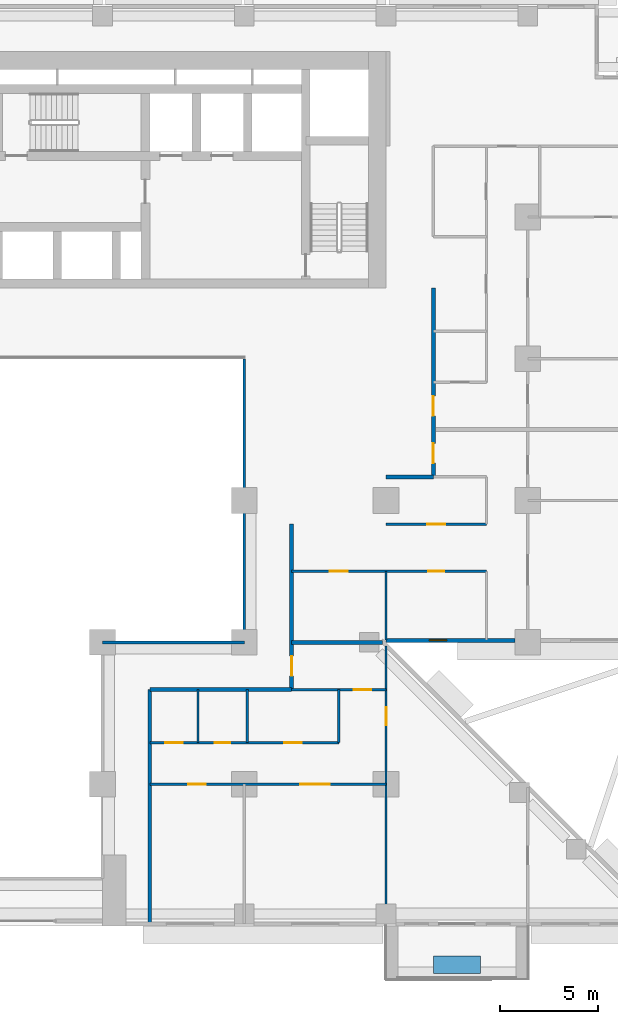
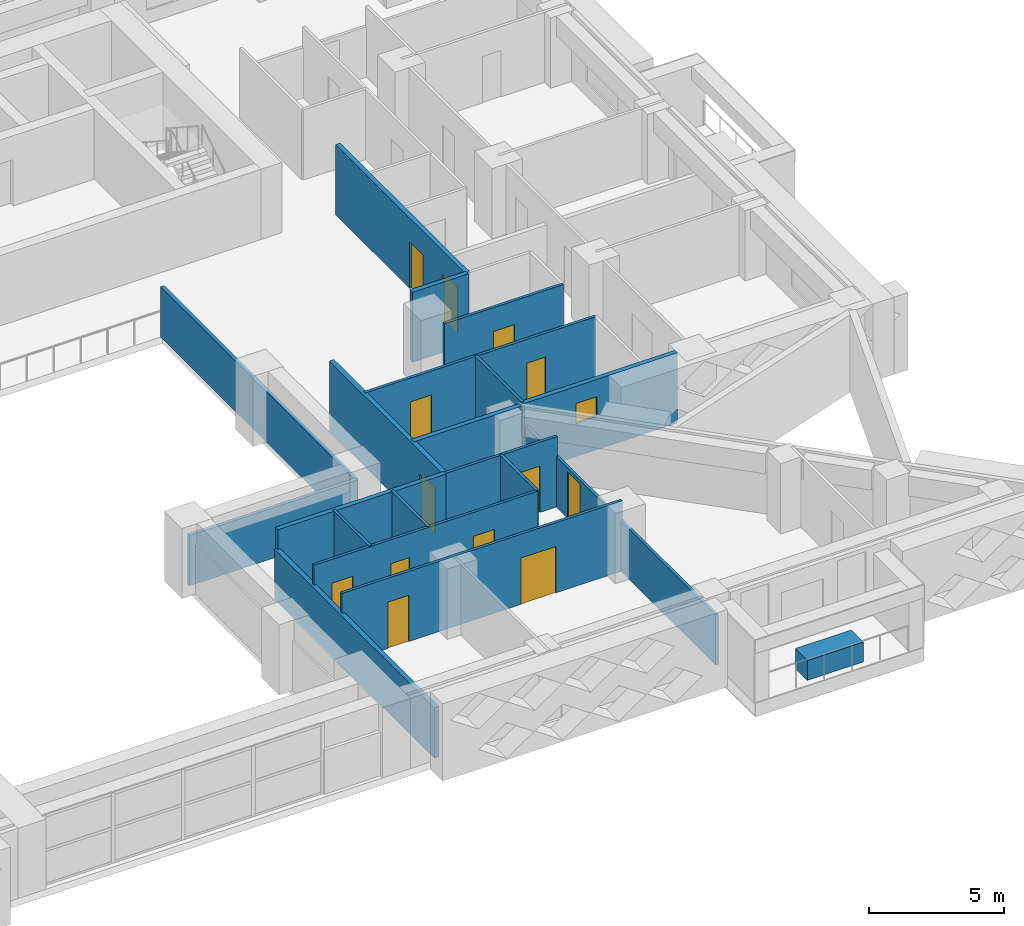
# One storey, part 8 of 16: 20 walls, 13 doors, 1 window, 14 openings.
"""IFC4 building model written with IfcOpenShell, lengths in metres."""

from ifc_helpers import new_model, si_unit, direction, frame, frame_2d, origin, place, context, subcontext, project, spatial, rectangle, extrude, material, layer, layer_set, type_object, element, fill, save


model = new_model("IFC4")

# Units and contexts
model_context = context("Model", 3, precision=1e-05, world=origin(), true_north=direction((0.0, 1.0)))
body_context = subcontext(model_context, "Body", "Model", "MODEL_VIEW")
ifc_project = project(units=[si_unit("LENGTHUNIT", "METRE"), si_unit("AREAUNIT", "SQUARE_METRE"), si_unit("VOLUMEUNIT", "CUBIC_METRE"), si_unit("PLANEANGLEUNIT", "RADIAN"), si_unit("MASSUNIT", "GRAM", prefix="KILO")], contexts=[model_context])

# Site, building, storey
site_placement = place(None, origin())
site = spatial("IfcSite", under=ifc_project, at=site_placement, CompositionType="ELEMENT")
building_placement = place(site_placement, origin())
building = spatial("IfcBuilding", under=site, at=building_placement, Name="Saffron Iwan Residences", CompositionType="ELEMENT")
storey_placement = place(building_placement, frame((0.0, 0.0, 83.0)))
storey = spatial("IfcBuildingStorey", under=building, at=storey_placement, Name="L21", CompositionType="ELEMENT", Elevation=83.0)

# Walls
ifc_material_1 = material(Name="Fire-rated glazing", Category="glass")
ifc_layer_1 = layer(ifc_material_1, 0.14990234375)
ifc_layer_set_1 = layer_set([ifc_layer_1], Name="Fire-rated glazing")
wall_type_1 = type_object("IfcWallType", Name="Atrium glazed screen 150", PredefinedType="SOLIDWALL", material=ifc_layer_set_1)
wall_1_placement = place(storey_placement, frame((57.60009765625, 48.0, 0.0), z_axis=(0.0, 0.0, 1.0), x_axis=(1.0, 0.0, 0.0)))
element("IfcWall", 1, at=wall_1_placement, inside=storey, type_object=wall_type_1, Name="W-L21-SCREEN-h48-57.6", PredefinedType="SOLIDWALL", context=body_context, shape_type="SweptSolid", body=[
    extrude(rectangle(XDim=7.199951171875, YDim=0.14990234375, at=frame_2d((3.60009765625, 0.0))), origin(), (0.0, 0.0, 1.0), 2.280029296875),
])
wall_2_placement = place(storey_placement, frame((64.800048828125, 48.0, 0.0), z_axis=(0.0, 0.0, 1.0), x_axis=(0.0, 1.0, 0.0)))
element("IfcWall", 2, at=wall_2_placement, inside=storey, type_object=wall_type_1, Name="W-L21-SCREEN-v64.8-48", PredefinedType="SOLIDWALL", context=body_context, shape_type="SweptSolid", body=[
    extrude(rectangle(XDim=14.39990234375, YDim=0.14990234375, at=frame_2d((7.199951171875, 0.0))), origin(), (0.0, 0.0, 1.0), 2.280029296875),
])
ifc_material_2 = material(Name="Concrete C35/45 white painted", Category="concrete")
ifc_layer_2 = layer(ifc_material_2, 0.14990234375)
ifc_layer_set_2 = layer_set([ifc_layer_2], Name="Concrete C35/45 white painted")
wall_type_2 = type_object("IfcWallType", Name="BALCONY PLANTER", PredefinedType="SOLIDWALL", material=ifc_layer_set_2)
wall_3_placement = place(storey_placement, frame((74.39990234375, 31.625, 0.0), z_axis=(0.0, 0.0, 1.0), x_axis=(1.0, 0.0, 0.0)))
element("IfcWall", 3, at=wall_3_placement, inside=storey, type_object=wall_type_2, Name="PLANTER L21 11-1", PredefinedType="SOLIDWALL", context=body_context, shape_type="SweptSolid", body=[
    extrude(rectangle(XDim=2.400146484375, YDim=0.89990234375, at=frame_2d((1.2001953125, 0.0))), origin(), (0.0, 0.0, 1.0), 0.89990234375),
])

# Wall, opening, window
ifc_material_3 = material(Name="Concrete C40/50", Category="concrete")
ifc_layer_3 = layer(ifc_material_3, 0.199951171875)
ifc_layer_set_3 = layer_set([ifc_layer_3], Name="Concrete C40/50")
wall_type_3 = type_object("IfcWallType", Name="EXTERNAL WALL 200", PredefinedType="SOLIDWALL", material=ifc_layer_set_3)
wall_4_placement = place(storey_placement, frame((71.988525390625, 48.10009765625, 0.0), z_axis=(0.0, 0.0, 1.0), x_axis=(1.0, 0.0, 0.0)))
wall_4 = element("IfcWall", 4, at=wall_4_placement, inside=storey, type_object=wall_type_3, Name="External wall L21 F1.0", PredefinedType="SOLIDWALL", context=body_context, shape_type="SweptSolid", body=[
    extrude(rectangle(XDim=6.5615234375, YDim=0.199951171875, at=frame_2d((3.28076171875, 0.0))), origin(), (0.0, 0.0, 1.0), 3.179931640625),
])
opening_1_placement = place(wall_4_placement, frame((2.205810546875, 0.0, 1.5)))
opening_1 = element("IfcOpeningElement", 5, at=opening_1_placement, cuts=wall_4, Name="Opening W6", PredefinedType="OPENING", context=body_context, shape_type="SweptSolid", body=[
    extrude(rectangle(XDim=0.89990234375, YDim=0.89990234375, at=frame_2d((0.449951171875, 0.449951171875))), frame((0.0, 0.10986328125, 0.0), z_axis=(0.0, -1.0, 0.0), x_axis=(1.0, 0.0, 0.0)), (0.0, 0.0, 1.0), 0.219970703125),
])
ifc_material_4 = material(Name="Clear glass, laminated double glazed", Category="glass")
window_type = type_object("IfcWindowType", Name="WINDOW 900 x 900 BATH", PartitioningType="SINGLE_PANEL", PredefinedType="WINDOW", material=ifc_material_4)
window_placement = place(opening_1_placement, origin())
window = element("IfcWindow", 6, at=window_placement, inside=storey, type_object=window_type, Name="Window L21 F1.0", OverallHeight=0.89990234375, OverallWidth=0.89990234375, PartitioningType="SINGLE_PANEL", PredefinedType="WINDOW", context=body_context, shape_type="SweptSolid", body=[
    extrude(rectangle(XDim=0.89990234375, YDim=0.89990234375, at=frame_2d((0.449951171875, 0.449951171875))), frame((0.0, 0.030029296875, 0.0), z_axis=(0.0, -1.0, 0.0), x_axis=(1.0, 0.0, 0.0)), (0.0, 0.0, 1.0), 0.06005859375),
])
fill(opening_1, window)

# Wall
ifc_material_5 = material(Name="Fire-rated gypsum board wall")
ifc_layer_4 = layer(ifc_material_5, 0.199951171875)
ifc_layer_set_4 = layer_set([ifc_layer_4], Name="Fire-rated gypsum board wall")
wall_type_4 = type_object("IfcWallType", Name="Flat demising wall 200", PredefinedType="SOLIDWALL", material=ifc_layer_set_4)
wall_5_placement = place(storey_placement, frame((67.199951171875, 48.0, 0.0), z_axis=(0.0, 0.0, 1.0), x_axis=(1.0, 0.0, 0.0)))
element("IfcWall", 7, at=wall_5_placement, inside=storey, type_object=wall_type_4, Name="W-L21-DEMISE-h48-67.2", PredefinedType="SOLIDWALL", context=body_context, shape_type="SweptSolid", body=[
    extrude(rectangle(XDim=4.623046875, YDim=0.199951171875, at=frame_2d((2.3115234375, 0.0))), origin(), (0.0, 0.0, 1.0), 3.179931640625),
])

# Wall, openings, doors
ifc_material_6 = material(Name="Gypsum board partition")
ifc_layer_5 = layer(ifc_material_6, 0.1201171875)
ifc_layer_set_5 = layer_set([ifc_layer_5], Name="Gypsum board partition")
wall_type_5 = type_object("IfcWallType", Name="Flat partition 120", PredefinedType="PARTITIONING", material=ifc_layer_set_5)
wall_6_placement = place(storey_placement, frame((60.0, 40.800048828125, 0.0), z_axis=(0.0, 0.0, 1.0), x_axis=(1.0, 0.0, 0.0)))
wall_6 = element("IfcWall", 8, at=wall_6_placement, inside=storey, type_object=wall_type_5, Name="W-L21-PART-h40.8-60", PredefinedType="PARTITIONING", context=body_context, shape_type="SweptSolid", body=[
    extrude(rectangle(XDim=12.0, YDim=0.1201171875, at=frame_2d((6.0, 0.0))), origin(), (0.0, 0.0, 1.0), 3.179931640625),
])
opening_2_placement = place(wall_6_placement, frame((7.64990234375, 0.0, 0.0)))
opening_2 = element("IfcOpeningElement", 9, at=opening_2_placement, cuts=wall_6, Name="Opening FD4", PredefinedType="OPENING", context=body_context, shape_type="SweptSolid", body=[
    extrude(rectangle(XDim=1.5, YDim=2.10009765625, at=frame_2d((0.75, 1.050048828125))), frame((0.0, 0.070068359375, 0.0), z_axis=(0.0, -1.0, 0.0), x_axis=(1.0, 0.0, 0.0)), (0.0, 0.0, 1.0), 0.14013671875),
])
opening_3_placement = place(wall_6_placement, frame((1.949951171875, 0.0, 0.0)))
opening_3 = element("IfcOpeningElement", 10, at=opening_3_placement, cuts=wall_6, Name="Opening FD2", PredefinedType="OPENING", context=body_context, shape_type="SweptSolid", body=[
    extrude(rectangle(XDim=0.89990234375, YDim=2.10009765625, at=frame_2d((0.449951171875, 1.050048828125))), frame((0.0, 0.070068359375, 0.0), z_axis=(0.0, -1.0, 0.0), x_axis=(1.0, 0.0, 0.0)), (0.0, 0.0, 1.0), 0.14013671875),
])
ifc_material_7 = material(Name="Timber door", Category="wood")
door_type_1 = type_object("IfcDoorType", Name="Double door 1500", OperationType="NOTDEFINED", PredefinedType="DOOR", material=ifc_material_7)
door_1_placement = place(opening_2_placement, origin())
door_1 = element("IfcDoor", 11, at=door_1_placement, inside=storey, type_object=door_type_1, Name="Door L21-044", OperationType="SINGLE_SWING_LEFT", OverallHeight=2.10009765625, OverallWidth=1.5, PredefinedType="DOOR", context=body_context, shape_type="SweptSolid", body=[
    extrude(rectangle(XDim=1.5, YDim=2.10009765625, at=frame_2d((0.75, 1.050048828125))), frame((0.0, 0.02490234375, 0.0), z_axis=(0.0, -1.0, 0.0), x_axis=(1.0, 0.0, 0.0)), (0.0, 0.0, 1.0), 0.050048828125),
])
fill(opening_2, door_1)
door_type_2 = type_object("IfcDoorType", Name="Flat door 900", OperationType="NOTDEFINED", PredefinedType="DOOR", material=ifc_material_7)
door_2_placement = place(opening_3_placement, origin())
door_2 = element("IfcDoor", 12, at=door_2_placement, inside=storey, type_object=door_type_2, Name="Door L21-045", OperationType="SINGLE_SWING_LEFT", OverallHeight=2.10009765625, OverallWidth=0.89990234375, PredefinedType="DOOR", context=body_context, shape_type="SweptSolid", body=[
    extrude(rectangle(XDim=0.89990234375, YDim=2.10009765625, at=frame_2d((0.449951171875, 1.050048828125))), frame((0.0, 0.02490234375, 0.0), z_axis=(0.0, -1.0, 0.0), x_axis=(1.0, 0.0, 0.0)), (0.0, 0.0, 1.0), 0.050048828125),
])
fill(opening_3, door_2)

wall_7_placement = place(storey_placement, frame((60.0, 42.89990234375, 0.0), z_axis=(0.0, 0.0, 1.0), x_axis=(1.0, 0.0, 0.0)))
wall_7 = element("IfcWall", 13, at=wall_7_placement, inside=storey, type_object=wall_type_5, Name="W-L21-PART-h42.9-60", PredefinedType="PARTITIONING", context=body_context, shape_type="SweptSolid", body=[
    extrude(rectangle(XDim=9.60009765625, YDim=0.1201171875, at=frame_2d((4.800048828125, 0.0))), origin(), (0.0, 0.0, 1.0), 3.179931640625),
])
opening_4_placement = place(wall_7_placement, frame((6.824951171875, 0.0, 0.0)))
opening_4 = element("IfcOpeningElement", 14, at=opening_4_placement, cuts=wall_7, Name="Opening FD2", PredefinedType="OPENING", context=body_context, shape_type="SweptSolid", body=[
    extrude(rectangle(XDim=0.89990234375, YDim=2.10009765625, at=frame_2d((0.449951171875, 1.050048828125))), frame((0.0, 0.070068359375, 0.0), z_axis=(0.0, -1.0, 0.0), x_axis=(1.0, 0.0, 0.0)), (0.0, 0.0, 1.0), 0.14013671875),
])
opening_5_placement = place(wall_7_placement, frame((3.300048828125, 0.0, 0.0)))
opening_5 = element("IfcOpeningElement", 15, at=opening_5_placement, cuts=wall_7, Name="Opening FD3", PredefinedType="OPENING", context=body_context, shape_type="SweptSolid", body=[
    extrude(rectangle(XDim=0.800048828125, YDim=2.10009765625, at=frame_2d((0.39990234375, 1.050048828125))), frame((0.0, 0.070068359375, 0.0), z_axis=(0.0, -1.0, 0.0), x_axis=(1.0, 0.0, 0.0)), (0.0, 0.0, 1.0), 0.14013671875),
])
opening_6_placement = place(wall_7_placement, frame((0.77490234375, 0.0, 0.0)))
opening_6 = element("IfcOpeningElement", 16, at=opening_6_placement, cuts=wall_7, Name="Opening FD2", PredefinedType="OPENING", context=body_context, shape_type="SweptSolid", body=[
    extrude(rectangle(XDim=0.89990234375, YDim=2.10009765625, at=frame_2d((0.449951171875, 1.050048828125))), frame((0.0, 0.070068359375, 0.0), z_axis=(0.0, -1.0, 0.0), x_axis=(1.0, 0.0, 0.0)), (0.0, 0.0, 1.0), 0.14013671875),
])
door_type_3 = type_object("IfcDoorType", Name="Bathroom door 800", OperationType="NOTDEFINED", PredefinedType="DOOR", material=ifc_material_7)
door_3_placement = place(opening_5_placement, origin())
door_3 = element("IfcDoor", 17, at=door_3_placement, inside=storey, type_object=door_type_3, Name="Door L21-047", OperationType="SINGLE_SWING_LEFT", OverallHeight=2.10009765625, OverallWidth=0.800048828125, PredefinedType="DOOR", context=body_context, shape_type="SweptSolid", body=[
    extrude(rectangle(XDim=0.800048828125, YDim=2.10009765625, at=frame_2d((0.39990234375, 1.050048828125))), frame((0.0, 0.02490234375, 0.0), z_axis=(0.0, -1.0, 0.0), x_axis=(1.0, 0.0, 0.0)), (0.0, 0.0, 1.0), 0.050048828125),
])
fill(opening_5, door_3)
door_4_placement = place(opening_4_placement, origin())
door_4 = element("IfcDoor", 18, at=door_4_placement, inside=storey, type_object=door_type_2, Name="Door L21-046", OperationType="SINGLE_SWING_RIGHT", OverallHeight=2.10009765625, OverallWidth=0.89990234375, PredefinedType="DOOR", context=body_context, shape_type="SweptSolid", body=[
    extrude(rectangle(XDim=0.89990234375, YDim=2.10009765625, at=frame_2d((0.449951171875, 1.050048828125))), frame((0.0, 0.02490234375, 0.0), z_axis=(0.0, -1.0, 0.0), x_axis=(1.0, 0.0, 0.0)), (0.0, 0.0, 1.0), 0.050048828125),
])
fill(opening_4, door_4)
door_5_placement = place(opening_6_placement, origin())
door_5 = element("IfcDoor", 19, at=door_5_placement, inside=storey, type_object=door_type_2, Name="Door L21-048", OperationType="SINGLE_SWING_LEFT", OverallHeight=2.10009765625, OverallWidth=0.89990234375, PredefinedType="DOOR", context=body_context, shape_type="SweptSolid", body=[
    extrude(rectangle(XDim=0.89990234375, YDim=2.10009765625, at=frame_2d((0.449951171875, 1.050048828125))), frame((0.0, 0.02490234375, 0.0), z_axis=(0.0, -1.0, 0.0), x_axis=(1.0, 0.0, 0.0)), (0.0, 0.0, 1.0), 0.050048828125),
])
fill(opening_6, door_5)

# Wall, opening, door
wall_8_placement = place(storey_placement, frame((67.199951171875, 45.60009765625, 0.0), z_axis=(0.0, 0.0, 1.0), x_axis=(1.0, 0.0, 0.0)))
wall_8 = element("IfcWall", 20, at=wall_8_placement, inside=storey, type_object=wall_type_5, Name="W-L21-PART-h45.6-67.2", PredefinedType="PARTITIONING", context=body_context, shape_type="SweptSolid", body=[
    extrude(rectangle(XDim=4.800048828125, YDim=0.1201171875, at=frame_2d((2.39990234375, 0.0))), origin(), (0.0, 0.0, 1.0), 3.179931640625),
])
opening_7_placement = place(wall_8_placement, frame((3.14990234375, 0.0, 0.0)))
opening_7 = element("IfcOpeningElement", 21, at=opening_7_placement, cuts=wall_8, Name="Opening FD2", PredefinedType="OPENING", context=body_context, shape_type="SweptSolid", body=[
    extrude(rectangle(XDim=0.89990234375, YDim=2.10009765625, at=frame_2d((0.449951171875, 1.050048828125))), frame((0.0, 0.070068359375, 0.0), z_axis=(0.0, -1.0, 0.0), x_axis=(1.0, 0.0, 0.0)), (0.0, 0.0, 1.0), 0.14013671875),
])
door_6_placement = place(opening_7_placement, origin())
door_6 = element("IfcDoor", 22, at=door_6_placement, inside=storey, type_object=door_type_2, Name="Door L21-042", OperationType="SINGLE_SWING_LEFT", OverallHeight=2.10009765625, OverallWidth=0.89990234375, PredefinedType="DOOR", context=body_context, shape_type="SweptSolid", body=[
    extrude(rectangle(XDim=0.89990234375, YDim=2.10009765625, at=frame_2d((0.449951171875, 1.050048828125))), frame((0.0, 0.02490234375, 0.0), z_axis=(0.0, -1.0, 0.0), x_axis=(1.0, 0.0, 0.0)), (0.0, 0.0, 1.0), 0.050048828125),
])
fill(opening_7, door_6)

# Wall, openings, doors
wall_9_placement = place(storey_placement, frame((67.199951171875, 51.60009765625, 0.0), z_axis=(0.0, 0.0, 1.0), x_axis=(1.0, 0.0, 0.0)))
wall_9 = element("IfcWall", 23, at=wall_9_placement, inside=storey, type_object=wall_type_5, Name="W-L21-PART-h51.6-67.2", PredefinedType="PARTITIONING", context=body_context, shape_type="SweptSolid", body=[
    extrude(rectangle(XDim=9.900146484375, YDim=0.1201171875, at=frame_2d((4.9501953125, 0.0))), origin(), (0.0, 0.0, 1.0), 3.179931640625),
])
opening_8_placement = place(wall_9_placement, frame((6.949951171875, 0.0, 0.0)))
opening_8 = element("IfcOpeningElement", 24, at=opening_8_placement, cuts=wall_9, Name="Opening FD3", PredefinedType="OPENING", context=body_context, shape_type="SweptSolid", body=[
    extrude(rectangle(XDim=0.800048828125, YDim=2.10009765625, at=frame_2d((0.39990234375, 1.050048828125))), frame((0.0, 0.070068359375, 0.0), z_axis=(0.0, -1.0, 0.0), x_axis=(1.0, 0.0, 0.0)), (0.0, 0.0, 1.0), 0.14013671875),
])
opening_9_placement = place(wall_9_placement, frame((1.949951171875, 0.0, 0.0)))
opening_9 = element("IfcOpeningElement", 25, at=opening_9_placement, cuts=wall_9, Name="Opening FD2", PredefinedType="OPENING", context=body_context, shape_type="SweptSolid", body=[
    extrude(rectangle(XDim=0.89990234375, YDim=2.10009765625, at=frame_2d((0.449951171875, 1.050048828125))), frame((0.0, 0.070068359375, 0.0), z_axis=(0.0, -1.0, 0.0), x_axis=(1.0, 0.0, 0.0)), (0.0, 0.0, 1.0), 0.14013671875),
])
door_7_placement = place(opening_8_placement, origin())
door_7 = element("IfcDoor", 26, at=door_7_placement, inside=storey, type_object=door_type_3, Name="Door L21-024", OperationType="SINGLE_SWING_LEFT", OverallHeight=2.10009765625, OverallWidth=0.800048828125, PredefinedType="DOOR", context=body_context, shape_type="SweptSolid", body=[
    extrude(rectangle(XDim=0.800048828125, YDim=2.10009765625, at=frame_2d((0.39990234375, 1.050048828125))), frame((0.0, 0.02490234375, 0.0), z_axis=(0.0, -1.0, 0.0), x_axis=(1.0, 0.0, 0.0)), (0.0, 0.0, 1.0), 0.050048828125),
])
fill(opening_8, door_7)
door_8_placement = place(opening_9_placement, origin())
door_8 = element("IfcDoor", 27, at=door_8_placement, inside=storey, type_object=door_type_2, Name="Door L21-026", OperationType="SINGLE_SWING_LEFT", OverallHeight=2.10009765625, OverallWidth=0.89990234375, PredefinedType="DOOR", context=body_context, shape_type="SweptSolid", body=[
    extrude(rectangle(XDim=0.89990234375, YDim=2.10009765625, at=frame_2d((0.449951171875, 1.050048828125))), frame((0.0, 0.02490234375, 0.0), z_axis=(0.0, -1.0, 0.0), x_axis=(1.0, 0.0, 0.0)), (0.0, 0.0, 1.0), 0.050048828125),
])
fill(opening_9, door_8)

# Wall, opening, door
wall_10_placement = place(storey_placement, frame((72.0, 54.0, 0.0), z_axis=(0.0, 0.0, 1.0), x_axis=(1.0, 0.0, 0.0)))
wall_10 = element("IfcWall", 28, at=wall_10_placement, inside=storey, type_object=wall_type_5, Name="W-L21-PART-h54-72", PredefinedType="PARTITIONING", context=body_context, shape_type="SweptSolid", body=[
    extrude(rectangle(XDim=5.10009765625, YDim=0.1201171875, at=frame_2d((2.550048828125, 0.0))), origin(), (0.0, 0.0, 1.0), 3.179931640625),
])
opening_10_placement = place(wall_10_placement, frame((2.10009765625, 0.0, 0.0)))
opening_10 = element("IfcOpeningElement", 29, at=opening_10_placement, cuts=wall_10, Name="Opening FD2", PredefinedType="OPENING", context=body_context, shape_type="SweptSolid", body=[
    extrude(rectangle(XDim=0.89990234375, YDim=2.10009765625, at=frame_2d((0.449951171875, 1.050048828125))), frame((0.0, 0.070068359375, 0.0), z_axis=(0.0, -1.0, 0.0), x_axis=(1.0, 0.0, 0.0)), (0.0, 0.0, 1.0), 0.14013671875),
])
door_9_placement = place(opening_10_placement, origin())
door_9 = element("IfcDoor", 30, at=door_9_placement, inside=storey, type_object=door_type_2, Name="Door L21-025", OperationType="SINGLE_SWING_RIGHT", OverallHeight=2.10009765625, OverallWidth=0.89990234375, PredefinedType="DOOR", context=body_context, shape_type="SweptSolid", body=[
    extrude(rectangle(XDim=0.89990234375, YDim=2.10009765625, at=frame_2d((0.449951171875, 1.050048828125))), frame((0.0, 0.02490234375, 0.0), z_axis=(0.0, -1.0, 0.0), x_axis=(1.0, 0.0, 0.0)), (0.0, 0.0, 1.0), 0.050048828125),
])
fill(opening_10, door_9)

# Walls
for number, where, z_axis, x_axis, name in (
    (31, (62.449951171875, 42.89990234375, 0.0), (0.0, 0.0, 1.0), (0.0, 1.0, 0.0), "W-L21-PART-v62.45-42.9"),
    (32, (64.949951171875, 42.89990234375, 0.0), (0.0, 0.0, 1.0), (0.0, 1.0, 0.0), "W-L21-PART-v64.95-42.9"),
    (33, (69.60009765625, 42.89990234375, 0.0), (0.0, 0.0, 1.0), (0.0, 1.0, 0.0), "W-L21-PART-v69.6-42.9"),
):
    element("IfcWall", number, at=place(storey_placement, frame(where, z_axis=z_axis, x_axis=x_axis)), inside=storey, type_object=wall_type_5, Name=name, PredefinedType="PARTITIONING", context=body_context, shape_type="SweptSolid", body=[
        extrude(rectangle(XDim=2.7001953125, YDim=0.1201171875, at=frame_2d((1.35009765625, 0.0))), origin(), (0.0, 0.0, 1.0), 3.179931640625),
    ])

# Wall, opening, door
wall_11_placement = place(storey_placement, frame((72.0, 33.72509765625, 0.0), z_axis=(0.0, 0.0, 1.0), x_axis=(0.0, 1.0, 0.0)))
wall_11 = element("IfcWall", 34, at=wall_11_placement, inside=storey, type_object=wall_type_5, Name="W-L21-PART-v72-33.725", PredefinedType="PARTITIONING", context=body_context, shape_type="SweptSolid", body=[
    extrude(rectangle(XDim=14.097900390625, YDim=0.1201171875, at=frame_2d((7.048828125, 0.0))), origin(), (0.0, 0.0, 1.0), 2.280029296875),
])
opening_11_placement = place(wall_11_placement, frame((10.074951171875, 0.0, 0.0)))
opening_11 = element("IfcOpeningElement", 35, at=opening_11_placement, cuts=wall_11, Name="Opening FD2", PredefinedType="OPENING", context=body_context, shape_type="SweptSolid", body=[
    extrude(rectangle(XDim=0.89990234375, YDim=2.10009765625, at=frame_2d((0.449951171875, 1.050048828125))), frame((0.0, 0.070068359375, 0.0), z_axis=(0.0, -1.0, 0.0), x_axis=(1.0, 0.0, 0.0)), (0.0, 0.0, 1.0), 0.14013671875),
])
door_10_placement = place(opening_11_placement, origin())
door_10 = element("IfcDoor", 36, at=door_10_placement, inside=storey, type_object=door_type_2, Name="Door L21-049", OperationType="SINGLE_SWING_RIGHT", OverallHeight=2.10009765625, OverallWidth=0.89990234375, PredefinedType="DOOR", context=body_context, shape_type="SweptSolid", body=[
    extrude(rectangle(XDim=0.89990234375, YDim=2.10009765625, at=frame_2d((0.449951171875, 1.050048828125))), frame((0.0, 0.02490234375, 0.0), z_axis=(0.0, -1.0, 0.0), x_axis=(1.0, 0.0, 0.0)), (0.0, 0.0, 1.0), 0.050048828125),
])
fill(opening_11, door_10)

# Walls
wall_12_placement = place(storey_placement, frame((72.0, 48.125, 0.0), z_axis=(0.0, 0.0, 1.0), x_axis=(0.0, 1.0, 0.0)))
element("IfcWall", 37, at=wall_12_placement, inside=storey, type_object=wall_type_5, Name="W-L21-PART-v72-48.125", PredefinedType="PARTITIONING", context=body_context, shape_type="SweptSolid", body=[
    extrude(rectangle(XDim=3.47509765625, YDim=0.1201171875, at=frame_2d((1.737548828125, 0.0))), origin(), (0.0, 0.0, 1.0), 3.179931640625),
])
ifc_layer_6 = layer(ifc_material_5, 0.199951171875)
ifc_layer_set_6 = layer_set([ifc_layer_6], Name="Fire-rated gypsum board wall")
wall_type_6 = type_object("IfcWallType", Name="Gallery wall 200", PredefinedType="SOLIDWALL", material=ifc_layer_set_6)
wall_13_placement = place(storey_placement, frame((60.0, 45.60009765625, 0.0), z_axis=(0.0, 0.0, 1.0), x_axis=(1.0, 0.0, 0.0)))
element("IfcWall", 38, at=wall_13_placement, inside=storey, type_object=wall_type_6, Name="W-L21-CORR-h45.6-60", PredefinedType="SOLIDWALL", context=body_context, shape_type="SweptSolid", body=[
    extrude(rectangle(XDim=7.199951171875, YDim=0.199951171875, at=frame_2d((3.60009765625, 0.0))), origin(), (0.0, 0.0, 1.0), 3.179931640625),
])
wall_14_placement = place(storey_placement, frame((72.0, 56.39990234375, 0.0), z_axis=(0.0, 0.0, 1.0), x_axis=(1.0, 0.0, 0.0)))
element("IfcWall", 39, at=wall_14_placement, inside=storey, type_object=wall_type_6, Name="W-L21-CORR-h56.4-72", PredefinedType="SOLIDWALL", context=body_context, shape_type="SweptSolid", body=[
    extrude(rectangle(XDim=2.39990234375, YDim=0.199951171875, at=frame_2d((1.199951171875, 0.0))), origin(), (0.0, 0.0, 1.0), 3.179931640625),
])
wall_15_placement = place(storey_placement, frame((60.0, 33.72509765625, 0.0), z_axis=(0.0, 0.0, 1.0), x_axis=(0.0, 1.0, 0.0)))
element("IfcWall", 40, at=wall_15_placement, inside=storey, type_object=wall_type_6, Name="W-L21-CORR-v60-33.725", PredefinedType="SOLIDWALL", context=body_context, shape_type="SweptSolid", body=[
    extrude(rectangle(XDim=11.875, YDim=0.199951171875, at=frame_2d((5.9375, 0.0))), origin(), (0.0, 0.0, 1.0), 2.280029296875),
])

# Wall, opening, door
wall_16_placement = place(storey_placement, frame((67.199951171875, 45.60009765625, 0.0), z_axis=(0.0, 0.0, 1.0), x_axis=(0.0, 1.0, 0.0)))
wall_16 = element("IfcWall", 41, at=wall_16_placement, inside=storey, type_object=wall_type_6, Name="W-L21-CORR-v67.2-45.6", PredefinedType="SOLIDWALL", context=body_context, shape_type="SweptSolid", body=[
    extrude(rectangle(XDim=8.39990234375, YDim=0.199951171875, at=frame_2d((4.199951171875, 0.0))), origin(), (0.0, 0.0, 1.0), 3.179931640625),
])
opening_12_placement = place(wall_16_placement, frame((0.699951171875, 0.0, 0.0)))
opening_12 = element("IfcOpeningElement", 42, at=opening_12_placement, cuts=wall_16, Name="Opening FD5", PredefinedType="OPENING", context=body_context, shape_type="SweptSolid", body=[
    extrude(rectangle(XDim=1.0, YDim=2.10009765625, at=frame_2d((0.5, 1.050048828125))), frame((0.0, 0.10986328125, 0.0), z_axis=(0.0, -1.0, 0.0), x_axis=(1.0, 0.0, 0.0)), (0.0, 0.0, 1.0), 0.219970703125),
])
ifc_material_8 = material(Name="Fire-rated timber door", Category="wood")
door_type_4 = type_object("IfcDoorType", Name="Lobby door 1000", OperationType="NOTDEFINED", PredefinedType="DOOR", material=ifc_material_8)
door_11_placement = place(opening_12_placement, origin())
door_11 = element("IfcDoor", 43, at=door_11_placement, inside=storey, type_object=door_type_4, Name="Door L21-043", OperationType="SINGLE_SWING_RIGHT", OverallHeight=2.10009765625, OverallWidth=1.0, PredefinedType="DOOR", context=body_context, shape_type="SweptSolid", body=[
    extrude(rectangle(XDim=1.0, YDim=2.10009765625, at=frame_2d((0.5, 1.050048828125))), frame((0.0, 0.02490234375, 0.0), z_axis=(0.0, -1.0, 0.0), x_axis=(1.0, 0.0, 0.0)), (0.0, 0.0, 1.0), 0.050048828125),
])
fill(opening_12, door_11)

# Wall, openings, doors
wall_17_placement = place(storey_placement, frame((74.39990234375, 56.39990234375, 0.0), z_axis=(0.0, 0.0, 1.0), x_axis=(0.0, 1.0, 0.0)))
wall_17 = element("IfcWall", 44, at=wall_17_placement, inside=storey, type_object=wall_type_6, Name="W-L21-CORR-v74.4-56.4", PredefinedType="SOLIDWALL", context=body_context, shape_type="SweptSolid", body=[
    extrude(rectangle(XDim=9.60009765625, YDim=0.199951171875, at=frame_2d((4.800048828125, 0.0))), origin(), (0.0, 0.0, 1.0), 3.179931640625),
])
opening_13_placement = place(wall_17_placement, frame((0.699951171875, 0.0, 0.0)))
opening_13 = element("IfcOpeningElement", 45, at=opening_13_placement, cuts=wall_17, Name="Opening FD1", PredefinedType="OPENING", context=body_context, shape_type="SweptSolid", body=[
    extrude(rectangle(XDim=1.0, YDim=2.10009765625, at=frame_2d((0.5, 1.050048828125))), frame((0.0, 0.10986328125, 0.0), z_axis=(0.0, -1.0, 0.0), x_axis=(1.0, 0.0, 0.0)), (0.0, 0.0, 1.0), 0.219970703125),
])
opening_14_placement = place(wall_17_placement, frame((3.10009765625, 0.0, 0.0)))
opening_14 = element("IfcOpeningElement", 46, at=opening_14_placement, cuts=wall_17, Name="Opening FD1", PredefinedType="OPENING", context=body_context, shape_type="SweptSolid", body=[
    extrude(rectangle(XDim=1.0, YDim=2.10009765625, at=frame_2d((0.5, 1.050048828125))), frame((0.0, 0.10986328125, 0.0), z_axis=(0.0, -1.0, 0.0), x_axis=(1.0, 0.0, 0.0)), (0.0, 0.0, 1.0), 0.219970703125),
])
door_type_5 = type_object("IfcDoorType", Name="FD30S flat entrance door 1000", OperationType="NOTDEFINED", PredefinedType="DOOR", material=ifc_material_8)
door_12_placement = place(opening_13_placement, origin())
door_12 = element("IfcDoor", 47, at=door_12_placement, inside=storey, type_object=door_type_5, Name="Door L21-021", OperationType="SINGLE_SWING_LEFT", OverallHeight=2.10009765625, OverallWidth=1.0, PredefinedType="DOOR", context=body_context, shape_type="SweptSolid", body=[
    extrude(rectangle(XDim=1.0, YDim=2.10009765625, at=frame_2d((0.5, 1.050048828125))), frame((0.0, 0.02490234375, 0.0), z_axis=(0.0, -1.0, 0.0), x_axis=(1.0, 0.0, 0.0)), (0.0, 0.0, 1.0), 0.050048828125),
])
fill(opening_13, door_12)
door_13_placement = place(opening_14_placement, origin())
door_13 = element("IfcDoor", 48, at=door_13_placement, inside=storey, type_object=door_type_5, Name="Door L21-034", OperationType="SINGLE_SWING_RIGHT", OverallHeight=2.10009765625, OverallWidth=1.0, PredefinedType="DOOR", context=body_context, shape_type="SweptSolid", body=[
    extrude(rectangle(XDim=1.0, YDim=2.10009765625, at=frame_2d((0.5, 1.050048828125))), frame((0.0, 0.02490234375, 0.0), z_axis=(0.0, -1.0, 0.0), x_axis=(1.0, 0.0, 0.0)), (0.0, 0.0, 1.0), 0.050048828125),
])
fill(opening_14, door_13)

save(model, "model.ifc")
